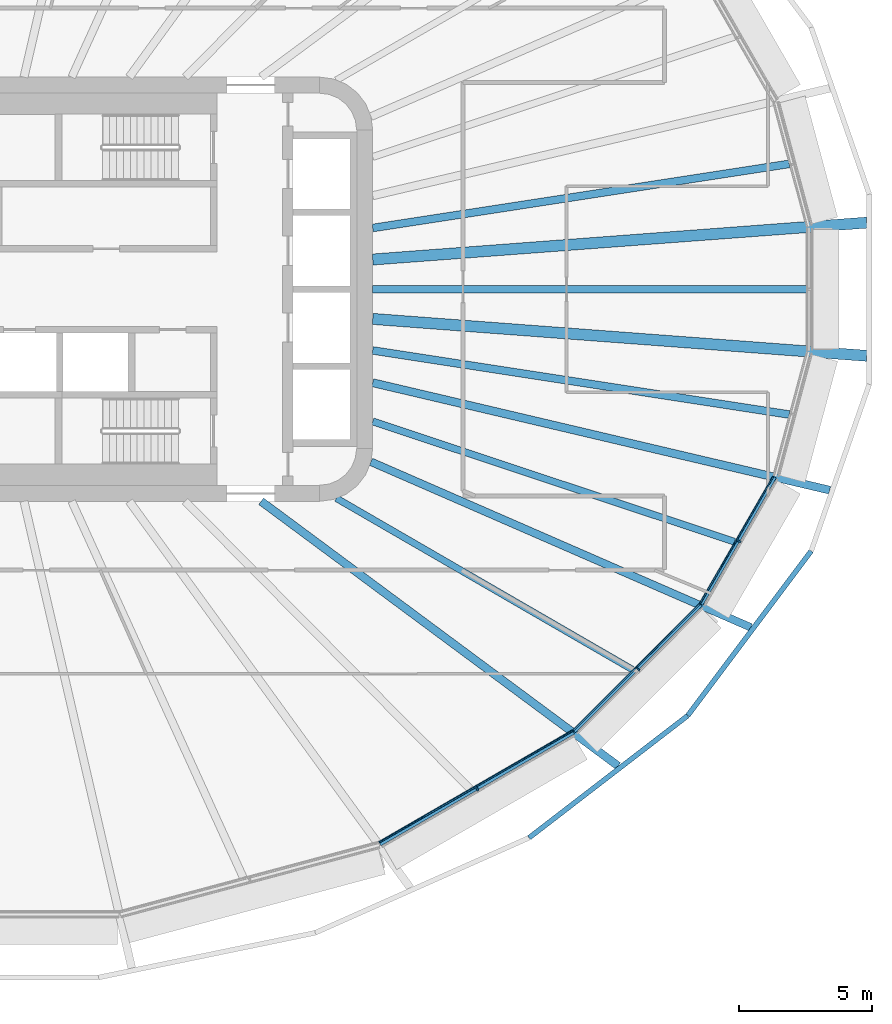
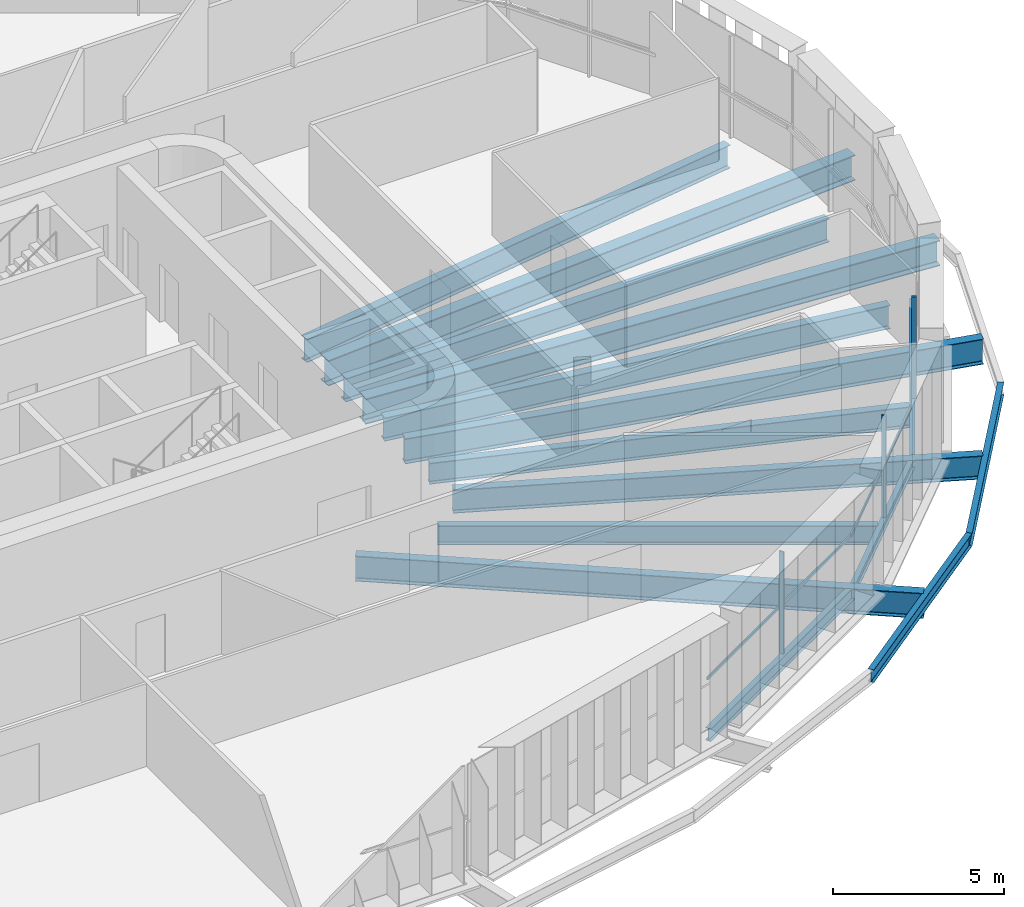
# One storey, part 5 of 25: 15 beams, 6 members, 3 elements without a shape of their own.
"""IFC4 building model written with IfcOpenShell, lengths in metres."""

from ifc_helpers import new_model, si_unit, direction, frame, origin, origin_2d, place, context, subcontext, project, spatial, rectangle, i_section, extrude, material, layer, layer_set, material_profile, profile_set, type_object, element, aggregate, save


model = new_model("IFC4")

# Units and contexts
model_context = context("Model", 3, precision=1e-05, world=origin(), true_north=direction((0.0, 1.0)))
body_context = subcontext(model_context, "Body", "Model", "MODEL_VIEW")
ifc_project = project(units=[si_unit("LENGTHUNIT", "METRE"), si_unit("AREAUNIT", "SQUARE_METRE"), si_unit("VOLUMEUNIT", "CUBIC_METRE"), si_unit("PLANEANGLEUNIT", "RADIAN"), si_unit("MASSUNIT", "GRAM", prefix="KILO")], contexts=[model_context])

# Site, building, storey
site_placement = place(None, origin())
site = spatial("IfcSite", under=ifc_project, at=site_placement, CompositionType="ELEMENT")
building_placement = place(site_placement, origin())
building = spatial("IfcBuilding", under=site, at=building_placement, Name="Sahrelin Media Tower", CompositionType="ELEMENT")
storey_placement = place(building_placement, frame((0.0, 0.0, 139.800048828125)))
storey = spatial("IfcBuildingStorey", under=building, at=storey_placement, Name="L28", CompositionType="ELEMENT", Elevation=139.800048828125)

# Beams
ifc_material_1 = material(Name="Steel S355", Category="steel")
ifc_material_profile_1 = material_profile(ifc_material_1, i_section(OverallWidth=0.1650390625, OverallDepth=0.303466796875, WebThickness=0.006103515625, FlangeThickness=0.01025390625, FilletRadius=0.0087890625, at=origin_2d()), Name="UB 305x165x40")
ifc_profile_set_1 = profile_set([ifc_material_profile_1], Name="Steel S355")
beam_type_1 = type_object("IfcBeamType", Name="Edge beam EB2", PredefinedType="BEAM", material=ifc_profile_set_1)
beam_1_placement = place(storey_placement, frame((30.15478515625, -7.07861328125, -0.3017578125), z_axis=(-0.500036242679, -0.866004478053, 0.0), x_axis=(0.866004478053, -0.500036242679, 0.0)))
element("IfcBeam", 1, at=beam_1_placement, inside=storey, type_object=beam_type_1, Name="Edge beam L28-03", PredefinedType="BEAM", context=body_context, shape_type="SweptSolid", body=[
    extrude(i_section(OverallWidth=0.1650390625, OverallDepth=0.303466796875, WebThickness=0.006103515625, FlangeThickness=0.01025390625, FilletRadius=0.0087890625, at=origin_2d()), origin(), (0.0, 0.0, 1.0), 5.544921875),
])
ifc_material_profile_2 = material_profile(ifc_material_1, i_section(OverallWidth=0.17138671875, OverallDepth=0.35498046875, WebThickness=0.00732421875, FlangeThickness=0.011474609375, FilletRadius=0.01025390625, at=origin_2d()), Name="UB 356x171x51")
ifc_profile_set_2 = profile_set([ifc_material_profile_2], Name="Steel S355")
beam_type_2 = type_object("IfcBeamType", Name="Edge beam EB3", PredefinedType="BEAM", material=ifc_profile_set_2)
beam_2_placement = place(storey_placement, frame((27.36474609375, -11.903564453125, -0.32763671875), z_axis=(-0.707106781187, -0.707106781187, 0.0), x_axis=(0.707106781187, -0.707106781187, 0.0)))
element("IfcBeam", 2, at=beam_2_placement, inside=storey, type_object=beam_type_2, Name="Edge beam L28-04", PredefinedType="BEAM", context=body_context, shape_type="SweptSolid", body=[
    extrude(i_section(OverallWidth=0.17138671875, OverallDepth=0.35498046875, WebThickness=0.00732421875, FlangeThickness=0.011474609375, FilletRadius=0.01025390625, at=origin_2d()), origin(), (0.0, 0.0, 1.0), 6.751953125),
])
ifc_material_profile_3 = material_profile(ifc_material_1, i_section(OverallWidth=0.1904296875, OverallDepth=0.45703125, WebThickness=0.009033203125, FlangeThickness=0.014404296875, FilletRadius=0.01025390625, at=origin_2d()), Name="UB 457x191x74")
ifc_profile_set_3 = profile_set([ifc_material_profile_3], Name="Steel S355")
beam_type_3 = type_object("IfcBeamType", Name="Edge beam EB5", PredefinedType="BEAM", material=ifc_profile_set_3)
beam_3_placement = place(storey_placement, frame((22.5673828125, -16.695556640625, -0.378662109375), z_axis=(-0.866028896434, -0.499993950504, 0.0), x_axis=(0.499993950504, -0.866028896434, 0.0)))
element("IfcBeam", 3, at=beam_3_placement, inside=storey, type_object=beam_type_3, Name="Edge beam L28-05", PredefinedType="BEAM", context=body_context, shape_type="SweptSolid", body=[
    extrude(i_section(OverallWidth=0.1904296875, OverallDepth=0.45703125, WebThickness=0.009033203125, FlangeThickness=0.014404296875, FilletRadius=0.01025390625, at=origin_2d()), origin(), (0.0, 0.0, 1.0), 8.4326171875),
])

# Curtain wall, member
ifc_material_2 = material(Name="Champagne anodised aluminium 6063-T6", Category="aluminium")
ifc_layer = layer(ifc_material_2, 0.14990234375)
ifc_layer_set = layer_set([ifc_layer], Name="Tower ribbon curtain wall")
curtain_wall_type = type_object("IfcCurtainWallType", Name="Tower ribbon curtain wall", PredefinedType="NOTDEFINED", material=ifc_layer_set)
curtain_wall_1_placement = place(storey_placement, frame((18.990966796875, -18.93359375, 0.0), z_axis=(0.0, 0.0, 1.0), x_axis=(1.0, 0.0, 0.0)))
curtain_wall_1 = element("IfcCurtainWall", 4, at=curtain_wall_1_placement, inside=storey, type_object=curtain_wall_type, Name="L28:CW:L28-20", PredefinedType="NOTDEFINED")
ifc_material_profile_4 = material_profile(ifc_material_2, rectangle(XDim=0.06005859375, YDim=0.14990234375, at=origin_2d()), Name="Mullion 60x150")
ifc_profile_set_4 = profile_set([ifc_material_profile_4], Name="Champagne anodised aluminium 6063-T6")
member_type_1 = type_object("IfcMemberType", Name="Mullion 60x150 CW1", PredefinedType="MULLION", material=ifc_profile_set_4)
member_1_placement = place(storey_placement, frame((18.943603515625, -18.851318359375, 0.0), z_axis=(0.0, 0.0, 1.0), x_axis=(0.866027149108, 0.499996976998, 0.0)))
member_1 = element("IfcMember", 5, at=member_1_placement, type_object=member_type_1, Name="L28:CWM:L28-20", PredefinedType="MULLION", context=body_context, shape_type="SweptSolid", body=[
    extrude(rectangle(XDim=0.06005859375, YDim=0.14990234375, at=origin_2d()), origin(), (0.0, 0.0, 1.0), 3.6484375),
])

curtain_wall_2_placement = place(storey_placement, frame((25.08349609375, -14.39697265625, 0.0), z_axis=(0.0, 0.0, 1.0), x_axis=(1.0, 0.0, 0.0)))
curtain_wall_2 = element("IfcCurtainWall", 6, at=curtain_wall_2_placement, inside=storey, type_object=curtain_wall_type, Name="L28:CW:L28-21", PredefinedType="NOTDEFINED")
member_2_placement = place(storey_placement, frame((25.016357421875, -14.32958984375, 0.0), z_axis=(0.0, 0.0, 1.0), x_axis=(0.707106781187, 0.707106781187, 0.0)))
member_2 = element("IfcMember", 7, at=member_2_placement, type_object=member_type_1, Name="L28:CWM:L28-21", PredefinedType="MULLION", context=body_context, shape_type="SweptSolid", body=[
    extrude(rectangle(XDim=0.06005859375, YDim=0.14990234375, at=origin_2d()), origin(), (0.0, 0.0, 1.0), 3.6484375),
])

curtain_wall_3_placement = place(storey_placement, frame((28.8984375, -9.5546875, 0.0), z_axis=(0.0, 0.0, 1.0), x_axis=(1.0, 0.0, 0.0)))
curtain_wall_3 = element("IfcCurtainWall", 8, at=curtain_wall_3_placement, inside=storey, type_object=curtain_wall_type, Name="L28:CW:L28-22", PredefinedType="NOTDEFINED")
member_3_placement = place(storey_placement, frame((28.816162109375, -9.507080078125, 0.0), z_axis=(0.0, 0.0, 1.0), x_axis=(0.49999395399, 0.866028894422, 0.0)))
member_3 = element("IfcMember", 9, at=member_3_placement, type_object=member_type_1, Name="L28:CWM:L28-22", PredefinedType="MULLION", context=body_context, shape_type="SweptSolid", body=[
    extrude(rectangle(XDim=0.06005859375, YDim=0.14990234375, at=origin_2d()), origin(), (0.0, 0.0, 1.0), 3.6484375),
])

# Beams
ifc_material_profile_5 = material_profile(ifc_material_1, i_section(OverallWidth=0.291748046875, OverallDepth=0.8349609375, WebThickness=0.013916015625, FlangeThickness=0.018798828125, FilletRadius=0.017822265625, at=origin_2d()), Name="UB 838x292x176")
ifc_profile_set_5 = profile_set([ifc_material_profile_5], Name="Steel S355")
beam_type_4 = type_object("IfcBeamType", Name="Radial primary beam PB10", PredefinedType="BEAM", material=ifc_profile_set_5)
beam_4_placement = place(storey_placement, frame((14.93310546875, -6.509521484375, -0.5673828125), z_axis=(0.916689949719, -0.399599219324, 0.0), x_axis=(0.399599219324, 0.916689949719, 0.0)))
element("IfcBeam", 10, at=beam_4_placement, inside=storey, type_object=beam_type_4, Name="Radial beam L28-22", PredefinedType="BEAM", context=body_context, shape_type="SweptSolid", body=[
    extrude(i_section(OverallWidth=0.291748046875, OverallDepth=0.8349609375, WebThickness=0.013916015625, FlangeThickness=0.018798828125, FilletRadius=0.017822265625, at=origin_2d()), origin(), (0.0, 0.0, 1.0), 15.63037109375),
])
ifc_material_profile_6 = material_profile(ifc_material_1, i_section(OverallWidth=0.30322265625, OverallDepth=0.903076171875, WebThickness=0.01513671875, FlangeThickness=0.020263671875, FilletRadius=0.01904296875, at=origin_2d()), Name="UB 914x305x201")
ifc_profile_set_6 = profile_set([ifc_material_profile_6], Name="Steel S355")
beam_type_5 = type_object("IfcBeamType", Name="Radial primary beam PB11", PredefinedType="BEAM", material=ifc_profile_set_6)
beam_5_placement = place(storey_placement, frame((10.791015625, -8.0, -0.6015625), z_axis=(0.803313092893, -0.59555694504, 0.0), x_axis=(0.59555694504, 0.803313092893, 0.0)))
element("IfcBeam", 11, at=beam_5_placement, inside=storey, type_object=beam_type_5, Name="Radial beam L28-21", PredefinedType="BEAM", context=body_context, shape_type="SweptSolid", body=[
    extrude(i_section(OverallWidth=0.30322265625, OverallDepth=0.903076171875, WebThickness=0.01513671875, FlangeThickness=0.020263671875, FilletRadius=0.01904296875, at=origin_2d()), origin(), (0.0, 0.0, 1.0), 16.765625),
])
beam_6_placement = place(storey_placement, frame((15.0, -3.5263671875, -0.6015625), z_axis=(0.973461266293, -0.228851836406, 0.0), x_axis=(0.228851836406, 0.973461266293, 0.0)))
element("IfcBeam", 12, at=beam_6_placement, inside=storey, type_object=beam_type_5, Name="Radial beam L28-23", PredefinedType="BEAM", context=body_context, shape_type="SweptSolid", body=[
    extrude(i_section(OverallWidth=0.30322265625, OverallDepth=0.903076171875, WebThickness=0.01513671875, FlangeThickness=0.020263671875, FilletRadius=0.01904296875, at=origin_2d()), origin(), (0.0, 0.0, 1.0), 17.708984375),
])
ifc_material_profile_7 = material_profile(ifc_material_1, i_section(OverallWidth=0.41845703125, OverallDepth=0.911865234375, WebThickness=0.019287109375, FlangeThickness=0.031982421875, FilletRadius=0.024169921875, at=origin_2d()), Name="UB 914x419x343")
ifc_profile_set_7 = profile_set([ifc_material_profile_7], Name="Steel S355")
beam_type_6 = type_object("IfcBeamType", Name="Radial primary beam PB12", PredefinedType="BEAM", material=ifc_profile_set_7)
for number, where, z_axis, x_axis, name in (
    (13, (15.0, 1.120361328125, -0.60595703125), (0.997222258381, 0.074483336325, 0.0), (-0.074483336325, 0.997222258381, 0.0), "Radial beam L28-01"),
    (14, (15.0, -1.120361328125, -0.60595703125), (0.997222258381, -0.074483336325, 0.0), (0.074483336325, 0.997222258381, 0.0), "Radial beam L28-24"),
):
    element("IfcBeam", number, at=place(storey_placement, frame(where, z_axis=z_axis, x_axis=x_axis)), inside=storey, type_object=beam_type_6, Name=name, PredefinedType="BEAM", context=body_context, shape_type="SweptSolid", body=[
        extrude(i_section(OverallWidth=0.41845703125, OverallDepth=0.911865234375, WebThickness=0.019287109375, FlangeThickness=0.031982421875, FilletRadius=0.024169921875, at=origin_2d()), origin(), (0.0, 0.0, 1.0), 18.686767578125),
    ])
ifc_material_profile_8 = material_profile(ifc_material_1, i_section(OverallWidth=0.291748046875, OverallDepth=0.8349609375, WebThickness=0.013916015625, FlangeThickness=0.018798828125, FilletRadius=0.017822265625, at=origin_2d()), Name="UB 838x292x176")
ifc_profile_set_8 = profile_set([ifc_material_profile_8], Name="Steel S355")
beam_type_7 = type_object("IfcBeamType", Name="Radial secondary beam SB10", PredefinedType="BEAM", material=ifc_profile_set_8)
for number, where, z_axis, x_axis, name in (
    (15, (15.0, 2.308837890625, -0.5673828125), (0.988359089309, 0.152139115876, 0.0), (-0.152139115876, 0.988359089309, 0.0), "Secondary beam L28-01"),
    (16, (15.0, -2.308837890625, -0.5673828125), (0.988359089309, -0.152139115876, 0.0), (0.152139115876, 0.988359089309, 0.0), "Secondary beam L28-23"),
):
    element("IfcBeam", number, at=place(storey_placement, frame(where, z_axis=z_axis, x_axis=x_axis)), inside=storey, type_object=beam_type_7, Name=name, PredefinedType="BEAM", context=body_context, shape_type="SweptSolid", body=[
        extrude(i_section(OverallWidth=0.291748046875, OverallDepth=0.8349609375, WebThickness=0.013916015625, FlangeThickness=0.018798828125, FilletRadius=0.017822265625, at=origin_2d()), origin(), (0.0, 0.0, 1.0), 15.89794921875),
    ])
beam_7_placement = place(storey_placement, frame((15.0, 0.0, -0.5673828125), z_axis=(1.0, 0.0, 0.0), x_axis=(0.0, 1.0, 0.0)))
element("IfcBeam", 17, at=beam_7_placement, inside=storey, type_object=beam_type_7, Name="Secondary beam L28-24", PredefinedType="BEAM", context=body_context, shape_type="SweptSolid", body=[
    extrude(i_section(OverallWidth=0.291748046875, OverallDepth=0.8349609375, WebThickness=0.013916015625, FlangeThickness=0.018798828125, FilletRadius=0.017822265625, at=origin_2d()), origin(), (0.0, 0.0, 1.0), 16.355712890625),
])
ifc_material_profile_9 = material_profile(ifc_material_1, i_section(OverallWidth=0.2529296875, OverallDepth=0.677978515625, WebThickness=0.01171875, FlangeThickness=0.01611328125, FilletRadius=0.01513671875, at=origin_2d()), Name="UB 686x254x125")
ifc_profile_set_9 = profile_set([ifc_material_profile_9], Name="Steel S355")
beam_type_8 = type_object("IfcBeamType", Name="Radial secondary beam SB8", PredefinedType="BEAM", material=ifc_profile_set_9)
beam_8_placement = place(storey_placement, frame((13.62939453125, -7.885498046875, -0.489013671875), z_axis=(0.865569164292, -0.500789398676, 0.0), x_axis=(0.500789398676, 0.865569164292, 0.0)))
element("IfcBeam", 18, at=beam_8_placement, inside=storey, type_object=beam_type_8, Name="Secondary beam L28-21", PredefinedType="BEAM", context=body_context, shape_type="SweptSolid", body=[
    extrude(i_section(OverallWidth=0.2529296875, OverallDepth=0.677978515625, WebThickness=0.01171875, FlangeThickness=0.01611328125, FilletRadius=0.01513671875, at=origin_2d()), origin(), (0.0, 0.0, 1.0), 12.904541015625),
])
ifc_material_profile_10 = material_profile(ifc_material_1, i_section(OverallWidth=0.26513671875, OverallDepth=0.75390625, WebThickness=0.0126953125, FlangeThickness=0.017578125, FilletRadius=0.0166015625, at=origin_2d()), Name="UB 762x267x147")
ifc_profile_set_10 = profile_set([ifc_material_profile_10], Name="Steel S355")
beam_type_9 = type_object("IfcBeamType", Name="Radial secondary beam SB9", PredefinedType="BEAM", material=ifc_profile_set_10)
beam_9_placement = place(storey_placement, frame((15.0, -4.9873046875, -0.527099609375), z_axis=(0.948922383089, -0.315509605039, 0.0), x_axis=(0.315509605039, 0.948922383089, 0.0)))
element("IfcBeam", 19, at=beam_9_placement, inside=storey, type_object=beam_type_9, Name="Secondary beam L28-22", PredefinedType="BEAM", context=body_context, shape_type="SweptSolid", body=[
    extrude(i_section(OverallWidth=0.26513671875, OverallDepth=0.75390625, WebThickness=0.0126953125, FlangeThickness=0.017578125, FilletRadius=0.0166015625, at=origin_2d()), origin(), (0.0, 0.0, 1.0), 14.3818359375),
])
ifc_material_profile_11 = material_profile(ifc_material_1, i_section(OverallWidth=0.1904296875, OverallDepth=0.45703125, WebThickness=0.009033203125, FlangeThickness=0.014404296875, FilletRadius=0.01025390625, at=origin_2d()), Name="UB 457x191x74")
ifc_profile_set_11 = profile_set([ifc_material_profile_11], Name="Steel S355")
beam_type_10 = type_object("IfcBeamType", Name="Tie chord TC5", PredefinedType="BEAM", material=ifc_profile_set_11)
beam_10_placement = place(storey_placement, frame((20.899658203125, -20.690673828125, -0.378662109375), z_axis=(0.792447216205, 0.609940496711, 0.0), x_axis=(-0.609940496711, 0.792447216205, 0.0)))
element("IfcBeam", 20, at=beam_10_placement, inside=storey, type_object=beam_type_10, Name="Tie chord L28-21", PredefinedType="BEAM", context=body_context, shape_type="SweptSolid", body=[
    extrude(i_section(OverallWidth=0.1904296875, OverallDepth=0.45703125, WebThickness=0.009033203125, FlangeThickness=0.014404296875, FilletRadius=0.01025390625, at=origin_2d()), origin(), (0.0, 0.0, 1.0), 7.548583984375),
])
beam_11_placement = place(storey_placement, frame((26.881591796875, -16.08642578125, -0.378662109375), z_axis=(0.600060372232, 0.799954717266, 0.0), x_axis=(-0.799954717266, 0.600060372232, 0.0)))
element("IfcBeam", 21, at=beam_11_placement, inside=storey, type_object=beam_type_10, Name="Tie chord L28-22", PredefinedType="BEAM", context=body_context, shape_type="SweptSolid", body=[
    extrude(i_section(OverallWidth=0.1904296875, OverallDepth=0.45703125, WebThickness=0.009033203125, FlangeThickness=0.014404296875, FilletRadius=0.01025390625, at=origin_2d()), origin(), (0.0, 0.0, 1.0), 7.76416015625),
])

# Member
ifc_material_profile_12 = material_profile(ifc_material_2, rectangle(XDim=0.050048828125, YDim=0.10009765625, at=origin_2d()), Name="Transom 50x100")
ifc_profile_set_12 = profile_set([ifc_material_profile_12], Name="Champagne anodised aluminium 6063-T6")
member_type_2 = type_object("IfcMemberType", Name="Transom 50x100 CW1", PredefinedType="USERDEFINED", material=ifc_profile_set_12)
member_4_placement = place(storey_placement, frame((15.255615234375, -20.864990234375, 1.599853515625), z_axis=(0.866020563817, 0.500008382975, 0.0), x_axis=(-0.500008382975, 0.866020563817, 0.0)))
member_4 = element("IfcMember", 22, at=member_4_placement, type_object=member_type_2, Name="L28:CWT:L28-20", ObjectType="TRANSOM", PredefinedType="USERDEFINED", context=body_context, shape_type="SweptSolid", body=[
    extrude(rectangle(XDim=0.050048828125, YDim=0.10009765625, at=origin_2d()), origin(), (0.0, 0.0, 1.0), 8.401123046875),
])

aggregate(curtain_wall_1, [member_1, member_4])

member_5_placement = place(storey_placement, frame((22.569580078125, -16.635009765625, 1.599853515625), z_axis=(0.707106781187, 0.707106781187, 0.0), x_axis=(-0.707106781187, 0.707106781187, 0.0)))
member_5 = element("IfcMember", 23, at=member_5_placement, type_object=member_type_2, Name="L28:CWT:L28-21", ObjectType="TRANSOM", PredefinedType="USERDEFINED", context=body_context, shape_type="SweptSolid", body=[
    extrude(rectangle(XDim=0.050048828125, YDim=0.10009765625, at=origin_2d()), origin(), (0.0, 0.0, 1.0), 6.720703125),
])

aggregate(curtain_wall_2, [member_2, member_5])

member_6_placement = place(storey_placement, frame((27.35107421875, -11.844482421875, 1.599853515625), z_axis=(0.500006091826, 0.866021886639, 0.0), x_axis=(-0.866021886639, 0.500006091826, 0.0)))
member_6 = element("IfcMember", 24, at=member_6_placement, type_object=member_type_2, Name="L28:CWT:L28-22", ObjectType="TRANSOM", PredefinedType="USERDEFINED", context=body_context, shape_type="SweptSolid", body=[
    extrude(rectangle(XDim=0.050048828125, YDim=0.10009765625, at=origin_2d()), origin(), (0.0, 0.0, 1.0), 5.513671875),
])

aggregate(curtain_wall_3, [member_3, member_6])

save(model, "model.ifc")
